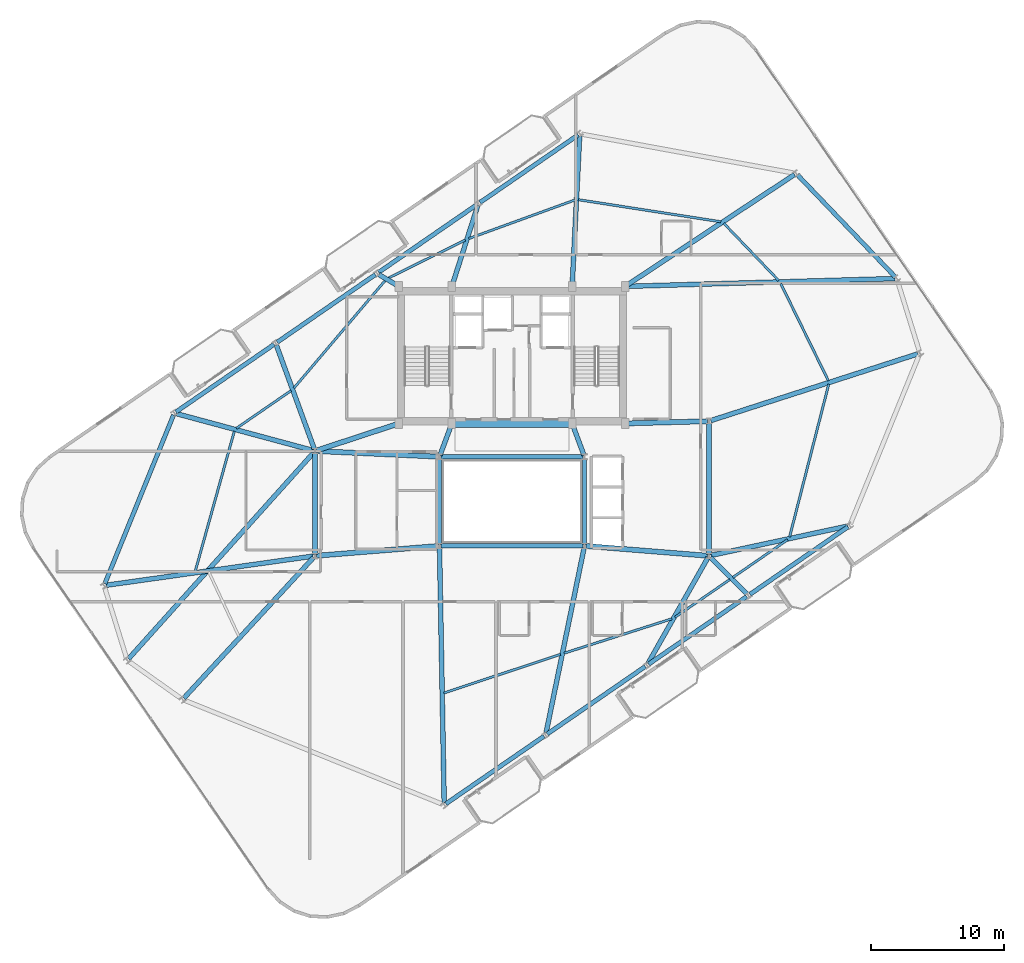
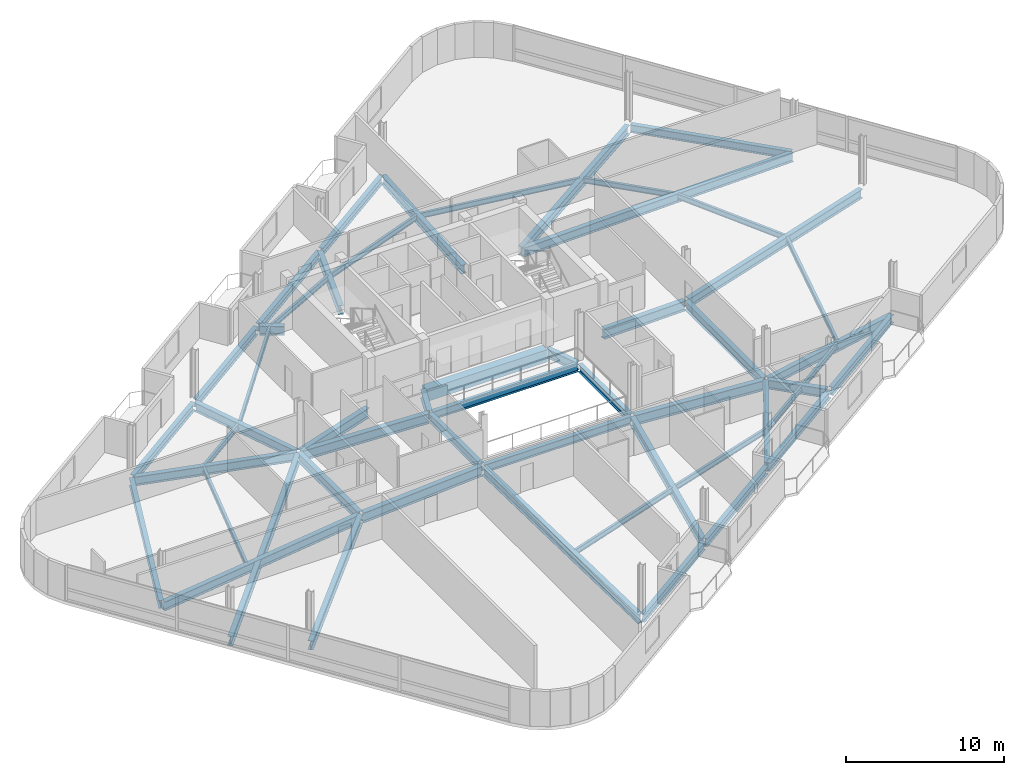
# One storey, part 7 of 21: 53 beams.
"""IFC4 building model written with IfcOpenShell, lengths in metres."""

from ifc_helpers import new_model, si_unit, direction, frame, origin, origin_2d, place, context, subcontext, project, spatial, rectangle, i_section, extrude, material, material_profile, profile_set, type_object, element, save


model = new_model("IFC4")

# Units and contexts
model_context = context("Model", 3, precision=1e-05, world=origin(), true_north=direction((0.0, 1.0)))
body_context = subcontext(model_context, "Body", "Model", "MODEL_VIEW")
ifc_project = project(units=[si_unit("LENGTHUNIT", "METRE"), si_unit("AREAUNIT", "SQUARE_METRE"), si_unit("VOLUMEUNIT", "CUBIC_METRE"), si_unit("PLANEANGLEUNIT", "RADIAN"), si_unit("MASSUNIT", "GRAM", prefix="KILO")], contexts=[model_context])

# Site, building, storey
site_placement = place(None, origin())
site = spatial("IfcSite", under=ifc_project, at=site_placement, CompositionType="ELEMENT")
building_placement = place(site_placement, origin())
building = spatial("IfcBuilding", under=site, at=building_placement, Name="Varnelok Gate Tower", CompositionType="ELEMENT")
storey_placement = place(building_placement, frame((0.0, 0.0, 265.60009765625)))
storey = spatial("IfcBuildingStorey", under=building, at=storey_placement, Name="L68", CompositionType="ELEMENT", Elevation=265.60009765625)

# Beams
ifc_material_1 = material(Name="Structural Steel ASTM A992 Grade 50", Category="steel")
ifc_material_profile_1 = material_profile(ifc_material_1, i_section(OverallWidth=0.180908203125, OverallDepth=0.4169921875, WebThickness=0.010986328125, FlangeThickness=0.018310546875, FilletRadius=0.013916015625, at=origin_2d()), Name="W16X57")
ifc_profile_set_1 = profile_set([ifc_material_profile_1], Name="Structural Steel ASTM A992 Grade 50")
beam_type_1 = type_object("IfcBeamType", Name="BM-JST-W16X57", PredefinedType="JOIST", material=ifc_profile_set_1)
beam_1_placement = place(storey_placement, frame((34.086669921875, 8.49658203125, -0.45849609375), z_axis=(0.949274037085, 0.314450000026, 0.0), x_axis=(-0.314450000026, 0.949274037085, 0.0)))
element("IfcBeam", 1, at=beam_1_placement, inside=storey, type_object=beam_type_1, Name="L68 Sector Floor Joist 1", PredefinedType="JOIST", context=body_context, shape_type="SweptSolid", body=[
    extrude(i_section(OverallWidth=0.180908203125, OverallDepth=0.4169921875, WebThickness=0.010986328125, FlangeThickness=0.018310546875, FilletRadius=0.013916015625, at=origin_2d()), origin(), (0.0, 0.0, 1.0), 9.2314453125),
])
beam_2_placement = place(storey_placement, frame((43.1162109375, 11.486083984375, -0.45849609375), z_axis=(0.952675675673, 0.303988580347, 0.0), x_axis=(-0.303988580347, 0.952675675673, 0.0)))
element("IfcBeam", 2, at=beam_2_placement, inside=storey, type_object=beam_type_1, Name="L68 Sector Floor Joist 2", PredefinedType="JOIST", context=body_context, shape_type="SweptSolid", body=[
    extrude(i_section(OverallWidth=0.180908203125, OverallDepth=0.4169921875, WebThickness=0.010986328125, FlangeThickness=0.018310546875, FilletRadius=0.013916015625, at=origin_2d()), origin(), (0.0, 0.0, 1.0), 8.497802734375),
])
beam_3_placement = place(storey_placement, frame((51.460693359375, 14.19140625, -0.45849609375), z_axis=(0.823527908528, 0.567275756468, 0.0), x_axis=(-0.567275756468, 0.823527908528, 0.0)))
element("IfcBeam", 3, at=beam_3_placement, inside=storey, type_object=beam_type_1, Name="L68 Sector Floor Joist 3", PredefinedType="JOIST", context=body_context, shape_type="SweptSolid", body=[
    extrude(i_section(OverallWidth=0.180908203125, OverallDepth=0.4169921875, WebThickness=0.010986328125, FlangeThickness=0.018310546875, FilletRadius=0.013916015625, at=origin_2d()), origin(), (0.0, 0.0, 1.0), 4.992431640625),
])
beam_4_placement = place(storey_placement, frame((55.802734375, 17.18212890625, -0.45849609375), z_axis=(0.823520800119, 0.567286075778, 0.0), x_axis=(-0.567286075778, 0.823520800119, 0.0)))
element("IfcBeam", 4, at=beam_4_placement, inside=storey, type_object=beam_type_1, Name="L68 Sector Floor Joist 4", PredefinedType="JOIST", context=body_context, shape_type="SweptSolid", body=[
    extrude(i_section(OverallWidth=0.180908203125, OverallDepth=0.4169921875, WebThickness=0.010986328125, FlangeThickness=0.018310546875, FilletRadius=0.013916015625, at=origin_2d()), origin(), (0.0, 0.0, 1.0), 4.99267578125),
])
beam_5_placement = place(storey_placement, frame((60.064208984375, 20.229248046875, -0.45849609375), z_axis=(0.248276124204, 0.968689303208, 0.0), x_axis=(-0.968689303208, 0.248276124204, 0.0)))
element("IfcBeam", 5, at=beam_5_placement, inside=storey, type_object=beam_type_1, Name="L68 Sector Floor Joist 5", PredefinedType="JOIST", context=body_context, shape_type="SweptSolid", body=[
    extrude(i_section(OverallWidth=0.180908203125, OverallDepth=0.4169921875, WebThickness=0.010986328125, FlangeThickness=0.018310546875, FilletRadius=0.013916015625, at=origin_2d()), origin(), (0.0, 0.0, 1.0), 11.83935546875),
])
beam_6_placement = place(storey_placement, frame((62.976806640625, 31.959228515625, -0.45849609375), z_axis=(-0.439970708301, 0.898012124549, 0.0), x_axis=(-0.898012124549, -0.439970708301, 0.0)))
element("IfcBeam", 6, at=beam_6_placement, inside=storey, type_object=beam_type_1, Name="L68 Sector Floor Joist 6", PredefinedType="JOIST", context=body_context, shape_type="SweptSolid", body=[
    extrude(i_section(OverallWidth=0.180908203125, OverallDepth=0.4169921875, WebThickness=0.010986328125, FlangeThickness=0.018310546875, FilletRadius=0.013916015625, at=origin_2d()), origin(), (0.0, 0.0, 1.0), 8.13330078125),
])
beam_7_placement = place(storey_placement, frame((59.239990234375, 39.48974609375, -0.45849609375), z_axis=(-0.691805554004, 0.722083842396, 0.0), x_axis=(-0.722083842396, -0.691805554004, 0.0)))
element("IfcBeam", 7, at=beam_7_placement, inside=storey, type_object=beam_type_1, Name="L68 Sector Floor Joist 7", PredefinedType="JOIST", context=body_context, shape_type="SweptSolid", body=[
    extrude(i_section(OverallWidth=0.180908203125, OverallDepth=0.4169921875, WebThickness=0.010986328125, FlangeThickness=0.018310546875, FilletRadius=0.013916015625, at=origin_2d()), origin(), (0.0, 0.0, 1.0), 5.95068359375),
])
beam_8_placement = place(storey_placement, frame((54.88818359375, 43.9091796875, -0.45849609375), z_axis=(-0.98823160299, 0.152965024929, 0.0), x_axis=(-0.152965024929, -0.98823160299, 0.0)))
element("IfcBeam", 8, at=beam_8_placement, inside=storey, type_object=beam_type_1, Name="L68 Sector Floor Joist 8", PredefinedType="JOIST", context=body_context, shape_type="SweptSolid", body=[
    extrude(i_section(OverallWidth=0.180908203125, OverallDepth=0.4169921875, WebThickness=0.010986328125, FlangeThickness=0.018310546875, FilletRadius=0.013916015625, at=origin_2d()), origin(), (0.0, 0.0, 1.0), 10.830810546875),
])
beam_9_placement = place(storey_placement, frame((43.914794921875, 45.53955078125, -0.45849609375), z_axis=(-0.939849757467, -0.34158810487, 0.0), x_axis=(0.34158810487, -0.939849757467, 0.0)))
element("IfcBeam", 9, at=beam_9_placement, inside=storey, type_object=beam_type_1, Name="L68 Sector Floor Joist 9", PredefinedType="JOIST", context=body_context, shape_type="SweptSolid", body=[
    extrude(i_section(OverallWidth=0.180908203125, OverallDepth=0.4169921875, WebThickness=0.010986328125, FlangeThickness=0.018310546875, FilletRadius=0.013916015625, at=origin_2d()), origin(), (0.0, 0.0, 1.0), 8.475830078125),
])
beam_10_placement = place(storey_placement, frame((35.691650390625, 42.534423828125, -0.45849609375), z_axis=(-0.896552094437, -0.442938304914, 0.0), x_axis=(0.442938304914, -0.896552094437, 0.0)))
element("IfcBeam", 10, at=beam_10_placement, inside=storey, type_object=beam_type_1, Name="L68 Sector Floor Joist 10", PredefinedType="JOIST", context=body_context, shape_type="SweptSolid", body=[
    extrude(i_section(OverallWidth=0.180908203125, OverallDepth=0.4169921875, WebThickness=0.010986328125, FlangeThickness=0.018310546875, FilletRadius=0.013916015625, at=origin_2d()), origin(), (0.0, 0.0, 1.0), 6.471923828125),
])
beam_11_placement = place(storey_placement, frame((29.673095703125, 39.498779296875, -0.45849609375), z_axis=(-0.647000133206, -0.762489886905, 0.0), x_axis=(0.762489886905, -0.647000133206, 0.0)))
element("IfcBeam", 11, at=beam_11_placement, inside=storey, type_object=beam_type_1, Name="L68 Sector Floor Joist 11", PredefinedType="JOIST", context=body_context, shape_type="SweptSolid", body=[
    extrude(i_section(OverallWidth=0.180908203125, OverallDepth=0.4169921875, WebThickness=0.010986328125, FlangeThickness=0.018310546875, FilletRadius=0.013916015625, at=origin_2d()), origin(), (0.0, 0.0, 1.0), 10.618408203125),
])
beam_12_placement = place(storey_placement, frame((22.597412109375, 31.21630859375, -0.45849609375), z_axis=(-0.823520800119, -0.567286075778, 0.0), x_axis=(0.567286075778, -0.823520800119, 0.0)))
element("IfcBeam", 12, at=beam_12_placement, inside=storey, type_object=beam_type_1, Name="L68 Sector Floor Joist 12", PredefinedType="JOIST", context=body_context, shape_type="SweptSolid", body=[
    extrude(i_section(OverallWidth=0.180908203125, OverallDepth=0.4169921875, WebThickness=0.010986328125, FlangeThickness=0.018310546875, FilletRadius=0.013916015625, at=origin_2d()), origin(), (0.0, 0.0, 1.0), 4.99267578125),
])
beam_13_placement = place(storey_placement, frame((18.332763671875, 28.169921875, -0.45849609375), z_axis=(-0.268896021427, -0.963169211333, 0.0), x_axis=(0.963169211333, -0.268896021427, 0.0)))
element("IfcBeam", 13, at=beam_13_placement, inside=storey, type_object=beam_type_1, Name="L68 Sector Floor Joist 13", PredefinedType="JOIST", context=body_context, shape_type="SweptSolid", body=[
    extrude(i_section(OverallWidth=0.180908203125, OverallDepth=0.4169921875, WebThickness=0.010986328125, FlangeThickness=0.018310546875, FilletRadius=0.013916015625, at=origin_2d()), origin(), (0.0, 0.0, 1.0), 10.908935546875),
])
ifc_material_2 = material(Name="Concrete C60/75", Category="concrete")
ifc_material_profile_2 = material_profile(ifc_material_2, rectangle(XDim=0.60009765625, YDim=0.949951171875, at=origin_2d()), Name="RC950X600")
ifc_profile_set_2 = profile_set([ifc_material_profile_2], Name="Concrete C60/75")
beam_type_2 = type_object("IfcBeamType", Name="BM-LNT-RC950", PredefinedType="LINTEL", material=ifc_profile_set_2)
beam_14_placement = place(storey_placement, frame((34.800048828125, 28.75, -0.72509765625), z_axis=(1.0, 0.0, 0.0), x_axis=(0.0, 1.0, 0.0)))
element("IfcBeam", 14, at=beam_14_placement, inside=storey, type_object=beam_type_2, Name="L68 Core-Atrium Spine Beam 7", PredefinedType="LINTEL", context=body_context, shape_type="SweptSolid", body=[
    extrude(rectangle(XDim=0.60009765625, YDim=0.949951171875, at=origin_2d()), origin(), (0.0, 0.0, 1.0), 8.800048828125),
])
ifc_material_profile_3 = material_profile(ifc_material_1, i_section(OverallWidth=0.35498046875, OverallDepth=0.696044921875, WebThickness=0.015380859375, FlangeThickness=0.02490234375, FilletRadius=0.02001953125, at=origin_2d()), Name="W27X146")
ifc_profile_set_3 = profile_set([ifc_material_profile_3], Name="Structural Steel ASTM A992 Grade 50")
beam_type_3 = type_object("IfcBeamType", Name="BM-PRI-W27X146", PredefinedType="BEAM", material=ifc_profile_set_3)
for number, where, z_axis, x_axis, name in (
    (15, (33.791748046875, 26.362548828125, -0.59814453125), (0.348719329408, 0.937227202602, 0.0), (-0.937227202602, 0.348719329408, 0.0), "L68 Core-Atrium Spine Beam 12"),
    (16, (44.608154296875, 26.362548828125, -0.59814453125), (-0.348719329408, 0.937227202602, 0.0), (-0.937227202602, -0.348719329408, 0.0), "L68 Core-Atrium Spine Beam 13"),
):
    element("IfcBeam", number, at=place(storey_placement, frame(where, z_axis=z_axis, x_axis=x_axis)), inside=storey, type_object=beam_type_3, Name=name, PredefinedType="BEAM", context=body_context, shape_type="SweptSolid", body=[
        extrude(i_section(OverallWidth=0.35498046875, OverallDepth=0.696044921875, WebThickness=0.015380859375, FlangeThickness=0.02490234375, FilletRadius=0.02001953125, at=origin_2d()), origin(), (0.0, 0.0, 1.0), 2.42724609375),
    ])
beam_15_placement = place(storey_placement, frame((24.39990234375, 18.919921875, -0.59814453125), z_axis=(0.0, 1.0, 0.0), x_axis=(-1.0, 0.0, 0.0)))
element("IfcBeam", 17, at=beam_15_placement, inside=storey, type_object=beam_type_3, Name="L68 Core-Atrium Spine Beam 16", PredefinedType="BEAM", context=body_context, shape_type="SweptSolid", body=[
    extrude(i_section(OverallWidth=0.35498046875, OverallDepth=0.696044921875, WebThickness=0.015380859375, FlangeThickness=0.02490234375, FilletRadius=0.02001953125, at=origin_2d()), origin(), (0.0, 0.0, 1.0), 7.64013671875),
])
beam_16_placement = place(storey_placement, frame((54.0, 18.919921875, -0.59814453125), z_axis=(0.0, 1.0, 0.0), x_axis=(-1.0, 0.0, 0.0)))
element("IfcBeam", 18, at=beam_16_placement, inside=storey, type_object=beam_type_3, Name="L68 Core-Atrium Spine Beam 20", PredefinedType="BEAM", context=body_context, shape_type="SweptSolid", body=[
    extrude(i_section(OverallWidth=0.35498046875, OverallDepth=0.696044921875, WebThickness=0.015380859375, FlangeThickness=0.02490234375, FilletRadius=0.02001953125, at=origin_2d()), origin(), (0.0, 0.0, 1.0), 9.880126953125),
])
beam_17_placement = place(storey_placement, frame((33.752685546875, 19.39990234375, -0.59814453125), z_axis=(0.018349623406, -0.999831631486, 0.0), x_axis=(0.999831631486, 0.018349623406, 0.0)))
element("IfcBeam", 19, at=beam_17_placement, inside=storey, type_object=beam_type_3, Name="L68 Radial Floor Girder 1", PredefinedType="BEAM", context=body_context, shape_type="SweptSolid", body=[
    extrude(i_section(OverallWidth=0.35498046875, OverallDepth=0.696044921875, WebThickness=0.015380859375, FlangeThickness=0.02490234375, FilletRadius=0.02001953125, at=origin_2d()), origin(), (0.0, 0.0, 1.0), 19.17236328125),
])
beam_18_placement = place(storey_placement, frame((44.619873046875, 19.403076171875, -0.59814453125), z_axis=(-0.201445575576, -0.979499709077, 0.0), x_axis=(0.979499709077, -0.201445575576, 0.0)))
element("IfcBeam", 20, at=beam_18_placement, inside=storey, type_object=beam_type_3, Name="L68 Radial Floor Girder 2", PredefinedType="BEAM", context=body_context, shape_type="SweptSolid", body=[
    extrude(i_section(OverallWidth=0.35498046875, OverallDepth=0.696044921875, WebThickness=0.015380859375, FlangeThickness=0.02490234375, FilletRadius=0.02001953125, at=origin_2d()), origin(), (0.0, 0.0, 1.0), 14.2197265625),
])
beam_19_placement = place(storey_placement, frame((53.926025390625, 18.66943359375, -0.59814453125), z_axis=(-0.49272782428, -0.870183481331, 0.0), x_axis=(0.870183481331, -0.49272782428, 0.0)))
element("IfcBeam", 21, at=beam_19_placement, inside=storey, type_object=beam_type_3, Name="L68 Radial Floor Girder 3", PredefinedType="BEAM", context=body_context, shape_type="SweptSolid", body=[
    extrude(i_section(OverallWidth=0.35498046875, OverallDepth=0.696044921875, WebThickness=0.015380859375, FlangeThickness=0.02490234375, FilletRadius=0.02001953125, at=origin_2d()), origin(), (0.0, 0.0, 1.0), 9.151611328125),
])
beam_20_placement = place(storey_placement, frame((54.105712890625, 18.693603515625, -0.59814453125), z_axis=(0.705068615511, -0.709139088911, 0.0), x_axis=(0.709139088911, 0.705068615511, 0.0)))
element("IfcBeam", 22, at=beam_20_placement, inside=storey, type_object=beam_type_3, Name="L68 Radial Floor Girder 4", PredefinedType="BEAM", context=body_context, shape_type="SweptSolid", body=[
    extrude(i_section(OverallWidth=0.35498046875, OverallDepth=0.696044921875, WebThickness=0.015380859375, FlangeThickness=0.02490234375, FilletRadius=0.02001953125, at=origin_2d()), origin(), (0.0, 0.0, 1.0), 3.898681640625),
])
beam_21_placement = place(storey_placement, frame((54.146728515625, 18.83154296875, -0.59814453125), z_axis=(0.977750075893, 0.209773184872, 0.0), x_axis=(-0.209773184872, 0.977750075893, 0.0)))
element("IfcBeam", 23, at=beam_21_placement, inside=storey, type_object=beam_type_3, Name="L68 Radial Floor Girder 5", PredefinedType="BEAM", context=body_context, shape_type="SweptSolid", body=[
    extrude(i_section(OverallWidth=0.35498046875, OverallDepth=0.696044921875, WebThickness=0.015380859375, FlangeThickness=0.02490234375, FilletRadius=0.02001953125, at=origin_2d()), origin(), (0.0, 0.0, 1.0), 10.518798828125),
])
beam_22_placement = place(storey_placement, frame((54.142822265625, 28.966064453125, -0.59814453125), z_axis=(0.95177048337, 0.306810930356, 0.0), x_axis=(-0.306810930356, 0.95177048337, 0.0)))
element("IfcBeam", 24, at=beam_22_placement, inside=storey, type_object=beam_type_3, Name="L68 Radial Floor Girder 6", PredefinedType="BEAM", context=body_context, shape_type="SweptSolid", body=[
    extrude(i_section(OverallWidth=0.35498046875, OverallDepth=0.696044921875, WebThickness=0.015380859375, FlangeThickness=0.02490234375, FilletRadius=0.02001953125, at=origin_2d()), origin(), (0.0, 0.0, 1.0), 16.3603515625),
])
beam_23_placement = place(storey_placement, frame((47.849853515625, 39.054443359375, -0.59814453125), z_axis=(0.999576755953, 0.029091389778, 0.0), x_axis=(-0.029091389778, 0.999576755953, 0.0)))
element("IfcBeam", 25, at=beam_23_placement, inside=storey, type_object=beam_type_3, Name="L68 Radial Floor Girder 7", PredefinedType="BEAM", context=body_context, shape_type="SweptSolid", body=[
    extrude(i_section(OverallWidth=0.35498046875, OverallDepth=0.696044921875, WebThickness=0.015380859375, FlangeThickness=0.02490234375, FilletRadius=0.02001953125, at=origin_2d()), origin(), (0.0, 0.0, 1.0), 20.12451171875),
])
beam_24_placement = place(storey_placement, frame((47.8251953125, 39.1328125, -0.59814453125), z_axis=(0.834499250809, 0.551009074697, 0.0), x_axis=(-0.551009074697, 0.834499250809, 0.0)))
element("IfcBeam", 26, at=beam_24_placement, inside=storey, type_object=beam_type_3, Name="L68 Radial Floor Girder 8", PredefinedType="BEAM", context=body_context, shape_type="SweptSolid", body=[
    extrude(i_section(OverallWidth=0.35498046875, OverallDepth=0.696044921875, WebThickness=0.015380859375, FlangeThickness=0.02490234375, FilletRadius=0.02001953125, at=origin_2d()), origin(), (0.0, 0.0, 1.0), 15.102783203125),
])
beam_25_placement = place(storey_placement, frame((43.7275390625, 39.19970703125, -0.59814453125), z_axis=(0.049860312634, 0.998756201094, 0.0), x_axis=(-0.998756201094, 0.049860312634, 0.0)))
element("IfcBeam", 27, at=beam_25_placement, inside=storey, type_object=beam_type_3, Name="L68 Radial Floor Girder 9", PredefinedType="BEAM", context=body_context, shape_type="SweptSolid", body=[
    extrude(i_section(OverallWidth=0.35498046875, OverallDepth=0.696044921875, WebThickness=0.015380859375, FlangeThickness=0.02490234375, FilletRadius=0.02001953125, at=origin_2d()), origin(), (0.0, 0.0, 1.0), 11.18359375),
])
beam_26_placement = place(storey_placement, frame((34.725830078125, 39.19287109375, -0.59814453125), z_axis=(0.305315663047, 0.952251198948, 0.0), x_axis=(-0.952251198948, 0.305315663047, 0.0)))
element("IfcBeam", 28, at=beam_26_placement, inside=storey, type_object=beam_type_3, Name="L68 Radial Floor Girder 10", PredefinedType="BEAM", context=body_context, shape_type="SweptSolid", body=[
    extrude(i_section(OverallWidth=0.35498046875, OverallDepth=0.696044921875, WebThickness=0.015380859375, FlangeThickness=0.02490234375, FilletRadius=0.02001953125, at=origin_2d()), origin(), (0.0, 0.0, 1.0), 6.23388671875),
])
beam_27_placement = place(storey_placement, frame((30.571044921875, 39.12646484375, -0.59814453125), z_axis=(-0.859971198292, 0.510342569367, 0.0), x_axis=(-0.510342569367, -0.859971198292, 0.0)))
element("IfcBeam", 29, at=beam_27_placement, inside=storey, type_object=beam_type_3, Name="L68 Radial Floor Girder 11", PredefinedType="BEAM", context=body_context, shape_type="SweptSolid", body=[
    extrude(i_section(OverallWidth=0.35498046875, OverallDepth=0.696044921875, WebThickness=0.015380859375, FlangeThickness=0.02490234375, FilletRadius=0.02001953125, at=origin_2d()), origin(), (0.0, 0.0, 1.0), 1.6103515625),
])
beam_28_placement = place(storey_placement, frame((24.348388671875, 26.82080078125, -0.59814453125), z_axis=(-0.343337291508, 0.939212172121, 0.0), x_axis=(-0.939212172121, -0.343337291508, 0.0)))
element("IfcBeam", 30, at=beam_28_placement, inside=storey, type_object=beam_type_3, Name="L68 Radial Floor Girder 12", PredefinedType="BEAM", context=body_context, shape_type="SweptSolid", body=[
    extrude(i_section(OverallWidth=0.35498046875, OverallDepth=0.696044921875, WebThickness=0.015380859375, FlangeThickness=0.02490234375, FilletRadius=0.02001953125, at=origin_2d()), origin(), (0.0, 0.0, 1.0), 8.32177734375),
])
beam_29_placement = place(storey_placement, frame((24.255126953125, 26.718994140625, -0.59814453125), z_axis=(-0.965561980059, 0.260173139782, 0.0), x_axis=(-0.260173139782, -0.965561980059, 0.0)))
element("IfcBeam", 31, at=beam_29_placement, inside=storey, type_object=beam_type_3, Name="L68 Radial Floor Girder 13", PredefinedType="BEAM", context=body_context, shape_type="SweptSolid", body=[
    extrude(i_section(OverallWidth=0.35498046875, OverallDepth=0.696044921875, WebThickness=0.015380859375, FlangeThickness=0.02490234375, FilletRadius=0.02001953125, at=origin_2d()), origin(), (0.0, 0.0, 1.0), 10.6552734375),
])
beam_30_placement = place(storey_placement, frame((24.25146484375, 18.779052734375, -0.59814453125), z_axis=(-0.990242546669, -0.139354579277, 0.0), x_axis=(0.139354579277, -0.990242546669, 0.0)))
element("IfcBeam", 32, at=beam_30_placement, inside=storey, type_object=beam_type_3, Name="L68 Radial Floor Girder 14", PredefinedType="BEAM", context=body_context, shape_type="SweptSolid", body=[
    extrude(i_section(OverallWidth=0.35498046875, OverallDepth=0.696044921875, WebThickness=0.015380859375, FlangeThickness=0.02490234375, FilletRadius=0.02001953125, at=origin_2d()), origin(), (0.0, 0.0, 1.0), 15.713134765625),
])
beam_31_placement = place(storey_placement, frame((24.2998046875, 26.568359375, -0.59814453125), z_axis=(-0.668020095308, -0.744143233702, 0.0), x_axis=(0.744143233702, -0.668020095308, 0.0)))
element("IfcBeam", 33, at=beam_31_placement, inside=storey, type_object=beam_type_3, Name="L68 Radial Floor Girder 15", PredefinedType="BEAM", context=body_context, shape_type="SweptSolid", body=[
    extrude(i_section(OverallWidth=0.35498046875, OverallDepth=0.696044921875, WebThickness=0.015380859375, FlangeThickness=0.02490234375, FilletRadius=0.02001953125, at=origin_2d()), origin(), (0.0, 0.0, 1.0), 20.83056640625),
])
beam_32_placement = place(storey_placement, frame((24.29833984375, 18.689697265625, -0.59814453125), z_axis=(-0.677969926739, -0.73508963973, 0.0), x_axis=(0.73508963973, -0.677969926739, 0.0)))
element("IfcBeam", 34, at=beam_32_placement, inside=storey, type_object=beam_type_3, Name="L68 Radial Floor Girder 16", PredefinedType="BEAM", context=body_context, shape_type="SweptSolid", body=[
    extrude(i_section(OverallWidth=0.35498046875, OverallDepth=0.696044921875, WebThickness=0.015380859375, FlangeThickness=0.02490234375, FilletRadius=0.02001953125, at=origin_2d()), origin(), (0.0, 0.0, 1.0), 14.386962890625),
])
ifc_material_profile_4 = material_profile(ifc_material_1, i_section(OverallWidth=0.381103515625, OverallDepth=0.77294921875, WebThickness=0.0166015625, FlangeThickness=0.027099609375, FilletRadius=0.02197265625, at=origin_2d()), Name="W30X173")
ifc_profile_set_4 = profile_set([ifc_material_profile_4], Name="Structural Steel ASTM A992 Grade 50")
beam_type_4 = type_object("IfcBeamType", Name="BM-PRI-W30X173", PredefinedType="BEAM", material=ifc_profile_set_4)
beam_33_placement = place(storey_placement, frame((24.51953125, 18.8095703125, -0.63671875), z_axis=(0.996799206292, 0.07994587128, 0.0), x_axis=(-0.07994587128, 0.996799206292, 0.0)))
element("IfcBeam", 35, at=beam_33_placement, inside=storey, type_object=beam_type_4, Name="L68 Core-Atrium Spine Beam 14", PredefinedType="BEAM", context=body_context, shape_type="SweptSolid", body=[
    extrude(i_section(OverallWidth=0.381103515625, OverallDepth=0.77294921875, WebThickness=0.0166015625, FlangeThickness=0.027099609375, FilletRadius=0.02197265625, at=origin_2d()), origin(), (0.0, 0.0, 1.0), 9.14013671875),
])
beam_34_placement = place(storey_placement, frame((24.52001953125, 26.674560546875, -0.63671875), z_axis=(0.99894427814, -0.045938319209, 0.0), x_axis=(0.045938319209, 0.99894427814, 0.0)))
element("IfcBeam", 36, at=beam_34_placement, inside=storey, type_object=beam_type_4, Name="L68 Core-Atrium Spine Beam 15", PredefinedType="BEAM", context=body_context, shape_type="SweptSolid", body=[
    extrude(i_section(OverallWidth=0.381103515625, OverallDepth=0.77294921875, WebThickness=0.0166015625, FlangeThickness=0.027099609375, FilletRadius=0.02197265625, at=origin_2d()), origin(), (0.0, 0.0, 1.0), 9.11962890625),
])
beam_35_placement = place(storey_placement, frame((24.513916015625, 26.717529296875, -0.63671875), z_axis=(0.950041943788, 0.312122259768, 0.0), x_axis=(-0.312122259768, 0.950041943788, 0.0)))
element("IfcBeam", 37, at=beam_35_placement, inside=storey, type_object=beam_type_4, Name="L68 Core-Atrium Spine Beam 17", PredefinedType="BEAM", context=body_context, shape_type="SweptSolid", body=[
    extrude(i_section(OverallWidth=0.381103515625, OverallDepth=0.77294921875, WebThickness=0.0166015625, FlangeThickness=0.027099609375, FilletRadius=0.02197265625, at=origin_2d()), origin(), (0.0, 0.0, 1.0), 6.391357421875),
])
beam_36_placement = place(storey_placement, frame((44.76953125, 19.540283203125, -0.63671875), z_axis=(0.996799206292, -0.07994587128, 0.0), x_axis=(0.07994587128, 0.996799206292, 0.0)))
element("IfcBeam", 38, at=beam_36_placement, inside=storey, type_object=beam_type_4, Name="L68 Core-Atrium Spine Beam 18", PredefinedType="BEAM", context=body_context, shape_type="SweptSolid", body=[
    extrude(i_section(OverallWidth=0.381103515625, OverallDepth=0.77294921875, WebThickness=0.0166015625, FlangeThickness=0.027099609375, FilletRadius=0.02197265625, at=origin_2d()), origin(), (0.0, 0.0, 1.0), 9.14013671875),
])
beam_37_placement = place(storey_placement, frame((47.820068359375, 28.753173828125, -0.63671875), z_axis=(0.999635880609, 0.026983443053, 0.0), x_axis=(-0.026983443053, 0.999635880609, 0.0)))
element("IfcBeam", 39, at=beam_37_placement, inside=storey, type_object=beam_type_4, Name="L68 Core-Atrium Spine Beam 19", PredefinedType="BEAM", context=body_context, shape_type="SweptSolid", body=[
    extrude(i_section(OverallWidth=0.381103515625, OverallDepth=0.77294921875, WebThickness=0.0166015625, FlangeThickness=0.027099609375, FilletRadius=0.02197265625, at=origin_2d()), origin(), (0.0, 0.0, 1.0), 6.06201171875),
])
ifc_material_profile_5 = material_profile(ifc_material_1, i_section(OverallWidth=0.323974609375, OverallDepth=0.611083984375, WebThickness=0.0126953125, FlangeThickness=0.01904296875, FilletRadius=0.01806640625, at=origin_2d()), Name="W24X104")
ifc_profile_set_5 = profile_set([ifc_material_profile_5], Name="Structural Steel ASTM A992 Grade 50")
beam_type_5 = type_object("IfcBeamType", Name="BM-SPN-W24X104", PredefinedType="SPANDREL", material=ifc_profile_set_5)
for number, where, z_axis, x_axis, name in (
    (40, (33.8701171875, 19.550048828125, -0.5556640625), (1.0, 0.0, 0.0), (0.0, 1.0, 0.0), "L68 Core-Atrium Spine Beam 8"),
    (41, (33.8701171875, 26.25, -0.5556640625), (1.0, 0.0, 0.0), (0.0, 1.0, 0.0), "L68 Core-Atrium Spine Beam 9"),
):
    element("IfcBeam", number, at=place(storey_placement, frame(where, z_axis=z_axis, x_axis=x_axis)), inside=storey, type_object=beam_type_5, Name=name, PredefinedType="SPANDREL", context=body_context, shape_type="SweptSolid", body=[
        extrude(i_section(OverallWidth=0.323974609375, OverallDepth=0.611083984375, WebThickness=0.0126953125, FlangeThickness=0.01904296875, FilletRadius=0.01806640625, at=origin_2d()), origin(), (0.0, 0.0, 1.0), 10.659912109375),
    ])
for number, where, z_axis, x_axis, name in (
    (42, (33.75, 19.669921875, -0.5556640625), (0.0, 1.0, 0.0), (-1.0, 0.0, 0.0), "L68 Core-Atrium Spine Beam 10"),
    (43, (44.64990234375, 19.669921875, -0.5556640625), (0.0, 1.0, 0.0), (-1.0, 0.0, 0.0), "L68 Core-Atrium Spine Beam 11"),
):
    element("IfcBeam", number, at=place(storey_placement, frame(where, z_axis=z_axis, x_axis=x_axis)), inside=storey, type_object=beam_type_5, Name=name, PredefinedType="SPANDREL", context=body_context, shape_type="SweptSolid", body=[
        extrude(i_section(OverallWidth=0.323974609375, OverallDepth=0.611083984375, WebThickness=0.0126953125, FlangeThickness=0.01904296875, FilletRadius=0.01806640625, at=origin_2d()), origin(), (0.0, 0.0, 1.0), 6.4599609375),
    ])
for number, where, z_axis, x_axis, name in (
    (44, (34.23095703125, 0.166015625, -0.5556640625), (0.823540167677, 0.567257959153, 0.0), (-0.567257959153, 0.823540167677, 0.0), "L68 Perimeter Spandrel Beam 1"),
    (45, (41.8486328125, 5.4130859375, -0.5556640625), (0.823540167677, 0.567257959153, 0.0), (-0.567257959153, 0.823540167677, 0.0), "L68 Perimeter Spandrel Beam 2"),
    (46, (49.46630859375, 10.660400390625, -0.5556640625), (0.823540167677, 0.567257959153, 0.0), (-0.567257959153, 0.823540167677, 0.0), "L68 Perimeter Spandrel Beam 3"),
    (47, (57.083984375, 15.90771484375, -0.5556640625), (0.823540167677, 0.567257959153, 0.0), (-0.567257959153, 0.823540167677, 0.0), "L68 Perimeter Spandrel Beam 4"),
):
    element("IfcBeam", number, at=place(storey_placement, frame(where, z_axis=z_axis, x_axis=x_axis)), inside=storey, type_object=beam_type_5, Name=name, PredefinedType="SPANDREL", context=body_context, shape_type="SweptSolid", body=[
        extrude(i_section(OverallWidth=0.323974609375, OverallDepth=0.611083984375, WebThickness=0.0126953125, FlangeThickness=0.01904296875, FilletRadius=0.01806640625, at=origin_2d()), origin(), (0.0, 0.0, 1.0), 8.949951171875),
    ])
beam_38_placement = place(storey_placement, frame((68.01171875, 39.75244140625, -0.5556640625), z_axis=(-0.691775667186, 0.722112474819, 0.0), x_axis=(-0.722112474819, -0.691775667186, 0.0)))
element("IfcBeam", 48, at=beam_38_placement, inside=storey, type_object=beam_type_5, Name="L68 Perimeter Spandrel Beam 7", PredefinedType="SPANDREL", context=body_context, shape_type="SweptSolid", body=[
    extrude(i_section(OverallWidth=0.323974609375, OverallDepth=0.611083984375, WebThickness=0.0126953125, FlangeThickness=0.01904296875, FilletRadius=0.01806640625, at=origin_2d()), origin(), (0.0, 0.0, 1.0), 10.630859375),
])
for number, where, z_axis, x_axis, name in (
    (49, (44.169189453125, 50.43408203125, -0.5556640625), (-0.823548945124, -0.567245215921, 0.0), (0.567245215921, -0.823548945124, 0.0), "L68 Perimeter Spandrel Beam 9"),
    (50, (36.551513671875, 45.18701171875, -0.5556640625), (-0.823536202099, -0.567263716301, 0.0), (0.567263716301, -0.823536202099, 0.0), "L68 Perimeter Spandrel Beam 10"),
):
    element("IfcBeam", number, at=place(storey_placement, frame(where, z_axis=z_axis, x_axis=x_axis)), inside=storey, type_object=beam_type_5, Name=name, PredefinedType="SPANDREL", context=body_context, shape_type="SweptSolid", body=[
        extrude(i_section(OverallWidth=0.323974609375, OverallDepth=0.611083984375, WebThickness=0.0126953125, FlangeThickness=0.01904296875, FilletRadius=0.01806640625, at=origin_2d()), origin(), (0.0, 0.0, 1.0), 8.9501953125),
    ])
beam_39_placement = place(storey_placement, frame((28.93359375, 39.939697265625, -0.5556640625), z_axis=(-0.823527424215, -0.567276459555, 0.0), x_axis=(0.567276459555, -0.823527424215, 0.0)))
element("IfcBeam", 51, at=beam_39_placement, inside=storey, type_object=beam_type_5, Name="L68 Perimeter Spandrel Beam 11", PredefinedType="SPANDREL", context=body_context, shape_type="SweptSolid", body=[
    extrude(i_section(OverallWidth=0.323974609375, OverallDepth=0.611083984375, WebThickness=0.0126953125, FlangeThickness=0.01904296875, FilletRadius=0.01806640625, at=origin_2d()), origin(), (0.0, 0.0, 1.0), 8.949951171875),
])
beam_40_placement = place(storey_placement, frame((21.316162109375, 34.6923828125, -0.5556640625), z_axis=(-0.823548945124, -0.567245215921, 0.0), x_axis=(0.567245215921, -0.823548945124, 0.0)))
element("IfcBeam", 52, at=beam_40_placement, inside=storey, type_object=beam_type_5, Name="L68 Perimeter Spandrel Beam 12", PredefinedType="SPANDREL", context=body_context, shape_type="SweptSolid", body=[
    extrude(i_section(OverallWidth=0.323974609375, OverallDepth=0.611083984375, WebThickness=0.0126953125, FlangeThickness=0.01904296875, FilletRadius=0.01806640625, at=origin_2d()), origin(), (0.0, 0.0, 1.0), 8.9501953125),
])
beam_41_placement = place(storey_placement, frame((13.765380859375, 29.391357421875, -0.5556640625), z_axis=(-0.377174006677, -0.926142412746, 0.0), x_axis=(0.926142412746, -0.377174006677, 0.0)))
element("IfcBeam", 53, at=beam_41_placement, inside=storey, type_object=beam_type_5, Name="L68 Perimeter Spandrel Beam 13", PredefinedType="SPANDREL", context=body_context, shape_type="SweptSolid", body=[
    extrude(i_section(OverallWidth=0.323974609375, OverallDepth=0.611083984375, WebThickness=0.0126953125, FlangeThickness=0.01904296875, FilletRadius=0.01806640625, at=origin_2d()), origin(), (0.0, 0.0, 1.0), 13.6953125),
])

save(model, "model.ifc")
